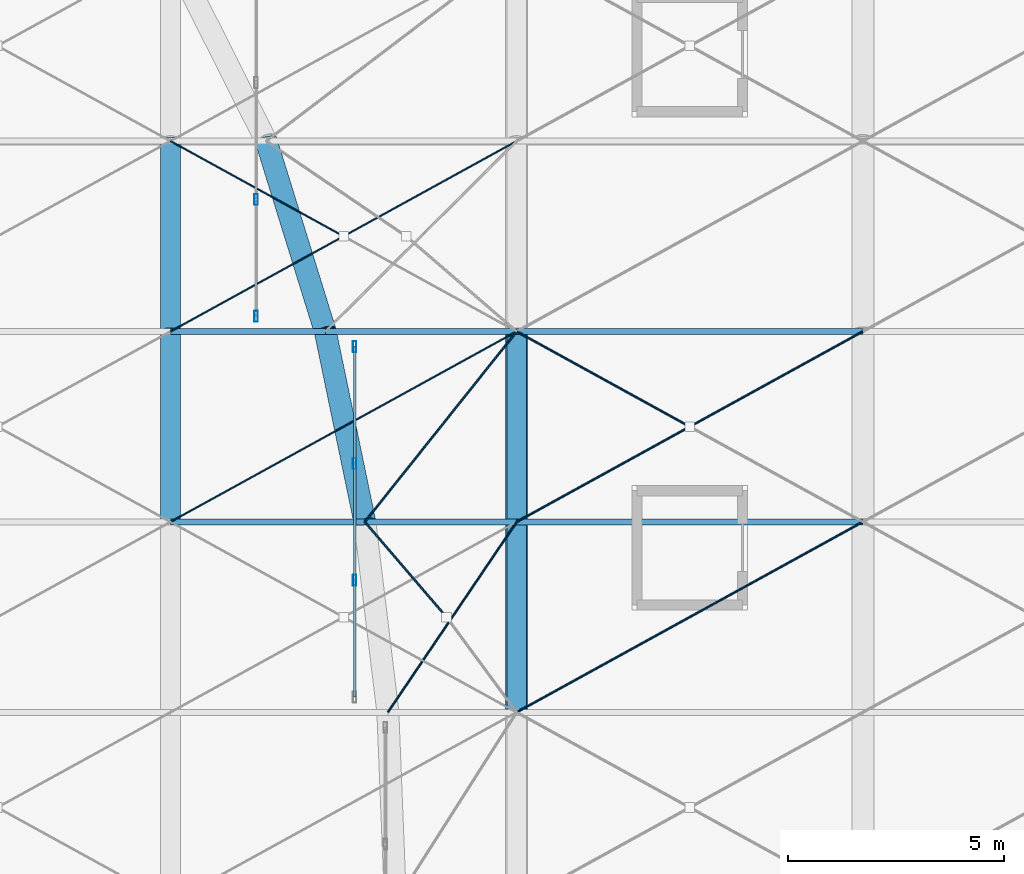
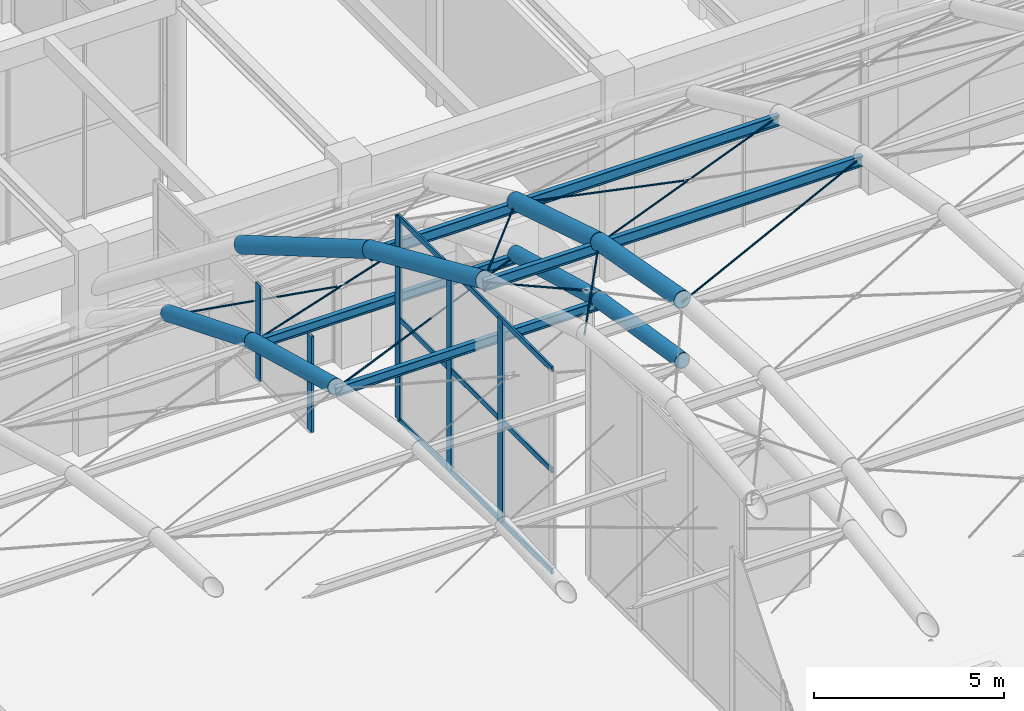
# One storey, part 76 of 163: 17 members, 14 beams, 2 elements without a shape of their own.
"""IFC4 building model written with IfcOpenShell, lengths in metres."""

from ifc_helpers import new_model, si_unit, direction, frame, origin, origin_2d, place, context, subcontext, project, spatial, hollow_rectangle, circle, hollow_circle, i_section, extrude, material, material_profile, profile_set, type_object, element, aggregate, save


model = new_model("IFC4")

# Units and contexts
model_context = context("Model", 3, precision=1e-05, world=origin(), true_north=direction((0.0, 1.0)))
body_context = subcontext(model_context, "Body", "Model", "MODEL_VIEW")
ifc_project = project(units=[si_unit("LENGTHUNIT", "METRE"), si_unit("AREAUNIT", "SQUARE_METRE"), si_unit("VOLUMEUNIT", "CUBIC_METRE"), si_unit("PLANEANGLEUNIT", "RADIAN"), si_unit("MASSUNIT", "GRAM", prefix="KILO")], contexts=[model_context])

# Site, building, storey
site_placement = place(None, origin())
site = spatial("IfcSite", under=ifc_project, at=site_placement, CompositionType="ELEMENT")
building_placement = place(site_placement, origin())
building = spatial("IfcBuilding", under=site, at=building_placement, Name="Varnabhumi Central Station", CompositionType="ELEMENT")
storey_placement = place(building_placement, frame((0.0, 0.0, 9.60009765625)))
storey = spatial("IfcBuildingStorey", under=building, at=storey_placement, Name="L02", CompositionType="ELEMENT", Elevation=9.60009765625)

# Beams
ifc_material_1 = material(Name="Structural steel E450", Category="steel")
ifc_material_profile_1 = material_profile(ifc_material_1, hollow_circle(Radius=0.228515625, WallThickness=0.01611328125, at=origin_2d()), Name="Structural steel E450", Category="steel")
ifc_profile_set_1 = profile_set([ifc_material_profile_1], Name="Structural steel E450")
beam_type_1 = type_object("IfcBeamType", Name="BM-ARCH-CHS457", PredefinedType="BEAM", material=ifc_profile_set_1)
beam_1_placement = place(storey_placement, frame((72.0, 66.800048828125, 9.8232421875), z_axis=(0.0, 0.965022848722, -0.262165789998), x_axis=(-1.0, 0.0, 0.0)))
element("IfcBeam", 1, at=beam_1_placement, inside=storey, type_object=beam_type_1, Name="Ticket Hall Vault Arch Rib 5 Seg 8", PredefinedType="BEAM", context=body_context, shape_type="SweptSolid", body=[
    extrude(hollow_circle(Radius=0.228515625, WallThickness=0.01611328125, at=origin_2d()), origin(), (0.0, 0.0, 1.0), 4.559326171875),
])
beam_2_placement = place(storey_placement, frame((72.0, 71.199951171875, 8.6279296875), z_axis=(0.0, 0.926804098242, -0.37554515505), x_axis=(-1.0, 0.0, 0.0)))
element("IfcBeam", 2, at=beam_2_placement, inside=storey, type_object=beam_type_1, Name="Ticket Hall Vault Arch Rib 5 Seg 9", PredefinedType="BEAM", context=body_context, shape_type="SweptSolid", body=[
    extrude(hollow_circle(Radius=0.228515625, WallThickness=0.01611328125, at=origin_2d()), origin(), (0.0, 0.0, 1.0), 4.74755859375),
])
beam_3_placement = place(storey_placement, frame((80.0, 62.39990234375, 10.520263671875), z_axis=(0.0, 0.987684638155, -0.156457839535), x_axis=(-1.0, 0.0, 0.0)))
element("IfcBeam", 3, at=beam_3_placement, inside=storey, type_object=beam_type_1, Name="Ticket Hall Vault Arch Rib 6 Seg 7", PredefinedType="BEAM", context=body_context, shape_type="SweptSolid", body=[
    extrude(hollow_circle(Radius=0.228515625, WallThickness=0.01611328125, at=origin_2d()), origin(), (0.0, 0.0, 1.0), 4.455078125),
])
beam_4_placement = place(storey_placement, frame((80.0, 66.800048828125, 9.8232421875), z_axis=(0.0, 0.965022848722, -0.262165789998), x_axis=(-1.0, 0.0, 0.0)))
element("IfcBeam", 4, at=beam_4_placement, inside=storey, type_object=beam_type_1, Name="Ticket Hall Vault Arch Rib 6 Seg 8", PredefinedType="BEAM", context=body_context, shape_type="SweptSolid", body=[
    extrude(hollow_circle(Radius=0.228515625, WallThickness=0.01611328125, at=origin_2d()), origin(), (0.0, 0.0, 1.0), 4.559326171875),
])
ifc_material_2 = material(Name="Structural steel E350", Category="steel")
ifc_material_profile_2 = material_profile(ifc_material_2, hollow_circle(Radius=0.25390625, WallThickness=0.02001953125, at=origin_2d()), Name="Structural steel E350", Category="steel")
ifc_profile_set_2 = profile_set([ifc_material_profile_2], Name="Structural steel E350")
beam_type_2 = type_object("IfcBeamType", Name="BM-ARCH-CHS508", PredefinedType="BEAM", material=ifc_profile_set_2)
beam_5_placement = place(storey_placement, frame((76.491455078125, 66.800048828125, 11.68701171875), z_axis=(-0.194549434517, 0.936477005574, -0.291824151776), x_axis=(-0.979095067091, -0.20340317008, 0.0)))
element("IfcBeam", 5, at=beam_5_placement, inside=storey, type_object=beam_type_2, Name="Departure Concourse Vault Arch Rib 1 Seg 8", PredefinedType="BEAM", context=body_context, shape_type="SweptSolid", body=[
    extrude(hollow_circle(Radius=0.25390625, WallThickness=0.02001953125, at=origin_2d()), origin(), (0.0, 0.0, 1.0), 4.6982421875),
])
beam_6_placement = place(storey_placement, frame((75.577392578125, 71.199951171875, 10.31591796875), z_axis=(-0.270532260799, 0.87301753561, -0.405774171659), x_axis=(-0.95518924728, -0.295995780173, 0.0)))
element("IfcBeam", 6, at=beam_6_placement, inside=storey, type_object=beam_type_2, Name="Departure Concourse Vault Arch Rib 1 Seg 9", PredefinedType="BEAM", context=body_context, shape_type="SweptSolid", body=[
    extrude(hollow_circle(Radius=0.25390625, WallThickness=0.02001953125, at=origin_2d()), origin(), (0.0, 0.0, 1.0), 5.0400390625),
])
beam_7_placement = place(storey_placement, frame((80.0, 62.39990234375, 12.486572265625), z_axis=(0.0, 0.983888247404, -0.17878455364), x_axis=(-1.0, 0.0, 0.0)))
element("IfcBeam", 7, at=beam_7_placement, inside=storey, type_object=beam_type_2, Name="Departure Concourse Vault Arch Rib 2 Seg 7", PredefinedType="BEAM", context=body_context, shape_type="SweptSolid", body=[
    extrude(hollow_circle(Radius=0.25390625, WallThickness=0.02001953125, at=origin_2d()), origin(), (0.0, 0.0, 1.0), 4.47216796875),
])
beam_8_placement = place(storey_placement, frame((80.0, 66.800048828125, 11.68701171875), z_axis=(0.0, 0.954719095828, -0.29750873611), x_axis=(-1.0, 0.0, 0.0)))
element("IfcBeam", 8, at=beam_8_placement, inside=storey, type_object=beam_type_2, Name="Departure Concourse Vault Arch Rib 2 Seg 8", PredefinedType="BEAM", context=body_context, shape_type="SweptSolid", body=[
    extrude(hollow_circle(Radius=0.25390625, WallThickness=0.02001953125, at=origin_2d()), origin(), (0.0, 0.0, 1.0), 4.608642578125),
])
ifc_material_profile_3 = material_profile(ifc_material_2, i_section(OverallWidth=0.139892578125, OverallDepth=0.300048828125, WebThickness=0.0078125, FlangeThickness=0.01318359375, FilletRadius=0.013916015625, at=origin_2d()), Name="Structural steel E350", Category="steel")
ifc_profile_set_3 = profile_set([ifc_material_profile_3], Name="Structural steel E350")
beam_type_3 = type_object("IfcBeamType", Name="BM-PUR-ISMB300", PredefinedType="LINTEL", material=ifc_profile_set_3)
for number, where, z_axis, x_axis, name in (
    (9, (72.0, 66.800048828125, 9.67333984375), (1.0, 0.0, 0.0), (0.0, 1.0, 0.0), "Ticket Hall Vault Purlin B5-L7"),
    (10, (72.0, 71.199951171875, 8.477783203125), (1.0, 0.0, 0.0), (0.0, 1.0, 0.0), "Ticket Hall Vault Purlin B5-L8"),
):
    element("IfcBeam", number, at=place(storey_placement, frame(where, z_axis=z_axis, x_axis=x_axis)), inside=storey, type_object=beam_type_3, Name=name, PredefinedType="LINTEL", context=body_context, shape_type="SweptSolid", body=[
        extrude(i_section(OverallWidth=0.139892578125, OverallDepth=0.300048828125, WebThickness=0.0078125, FlangeThickness=0.01318359375, FilletRadius=0.013916015625, at=origin_2d()), origin(), (0.0, 0.0, 1.0), 8.0),
    ])
ifc_material_profile_4 = material_profile(ifc_material_2, i_section(OverallWidth=0.139892578125, OverallDepth=0.35009765625, WebThickness=0.008056640625, FlangeThickness=0.01416015625, FilletRadius=0.013916015625, at=origin_2d()), Name="Structural steel E350", Category="steel")
ifc_profile_set_4 = profile_set([ifc_material_profile_4], Name="Structural steel E350")
beam_type_4 = type_object("IfcBeamType", Name="BM-PUR-ISMB350", PredefinedType="LINTEL", material=ifc_profile_set_4)
beam_9_placement = place(storey_placement, frame((76.491455078125, 66.800048828125, 11.511962890625), z_axis=(1.0, 0.0, 0.0), x_axis=(0.0, 1.0, 0.0)))
element("IfcBeam", 11, at=beam_9_placement, inside=storey, type_object=beam_type_4, Name="Departure Concourse Vault Purlin B1-L7", PredefinedType="LINTEL", context=body_context, shape_type="SweptSolid", body=[
    extrude(i_section(OverallWidth=0.139892578125, OverallDepth=0.35009765625, WebThickness=0.008056640625, FlangeThickness=0.01416015625, FilletRadius=0.013916015625, at=origin_2d()), origin(), (0.0, 0.0, 1.0), 3.508544921875),
])
beam_10_placement = place(storey_placement, frame((75.577392578125, 71.199951171875, 10.140869140625), z_axis=(1.0, 0.0, 0.0), x_axis=(0.0, 1.0, 0.0)))
element("IfcBeam", 12, at=beam_10_placement, inside=storey, type_object=beam_type_4, Name="Departure Concourse Vault Purlin B1-L8", PredefinedType="LINTEL", context=body_context, shape_type="SweptSolid", body=[
    extrude(i_section(OverallWidth=0.139892578125, OverallDepth=0.35009765625, WebThickness=0.008056640625, FlangeThickness=0.01416015625, FilletRadius=0.013916015625, at=origin_2d()), origin(), (0.0, 0.0, 1.0), 4.422607421875),
])
for number, where, z_axis, x_axis, name in (
    (13, (80.0, 66.800048828125, 11.511962890625), (1.0, 0.0, 0.0), (0.0, 1.0, 0.0), "Departure Concourse Vault Purlin B2-L7"),
    (14, (80.0, 71.199951171875, 10.140869140625), (1.0, 0.0, 0.0), (0.0, 1.0, 0.0), "Departure Concourse Vault Purlin B2-L8"),
):
    element("IfcBeam", number, at=place(storey_placement, frame(where, z_axis=z_axis, x_axis=x_axis)), inside=storey, type_object=beam_type_4, Name=name, PredefinedType="LINTEL", context=body_context, shape_type="SweptSolid", body=[
        extrude(i_section(OverallWidth=0.139892578125, OverallDepth=0.35009765625, WebThickness=0.008056640625, FlangeThickness=0.01416015625, FilletRadius=0.013916015625, at=origin_2d()), origin(), (0.0, 0.0, 1.0), 8.0),
    ])

# Curtain wall, members
ifc_material_3 = material(Name="Anodised aluminium 6063-T6", Category="aluminium")
curtain_wall_type = type_object("IfcCurtainWallType", Name="CW-VAULT-ARCH-V4", PredefinedType="NOTDEFINED", material=ifc_material_3)
curtain_wall_1_placement = place(storey_placement, origin())
curtain_wall_1 = element("IfcCurtainWall", 15, at=curtain_wall_1_placement, inside=storey, type_object=curtain_wall_type, Name="Curtain Wall CW-V44", PredefinedType="NOTDEFINED")
ifc_material_profile_5 = material_profile(ifc_material_3, hollow_rectangle(XDim=0.080078125, YDim=0.25, WallThickness=0.0048828125, InnerFilletRadius=0.0009765625, OuterFilletRadius=0.006103515625, at=origin_2d()), Name="Anodised aluminium 6063-T6", Category="aluminium")
ifc_profile_set_5 = profile_set([ifc_material_profile_5], Name="Anodised aluminium 6063-T6")
member_type_1 = type_object("IfcMemberType", Name="CW-MUL-250", PredefinedType="MULLION", material=ifc_profile_set_5)
member_1_placement = place(storey_placement, frame((76.258056640625, 65.449951171875, 4.849853515625), z_axis=(0.0, 0.0, 1.0), x_axis=(1.0, 0.0, 0.0)))
member_1 = element("IfcMember", 16, at=member_1_placement, type_object=member_type_1, Name="Curtain Wall Mullion CW-V44-M2", PredefinedType="MULLION", context=body_context, shape_type="SweptSolid", body=[
    extrude(hollow_rectangle(XDim=0.080078125, YDim=0.25, WallThickness=0.0048828125, InnerFilletRadius=0.0009765625, OuterFilletRadius=0.006103515625, at=origin_2d()), origin(), (0.0, 0.0, 1.0), 6.487060546875),
])
member_2_placement = place(storey_placement, frame((76.258056640625, 68.14990234375, 4.849853515625), z_axis=(0.0, 0.0, 1.0), x_axis=(1.0, 0.0, 0.0)))
member_2 = element("IfcMember", 17, at=member_2_placement, type_object=member_type_1, Name="Curtain Wall Mullion CW-V44-M3", PredefinedType="MULLION", context=body_context, shape_type="SweptSolid", body=[
    extrude(hollow_rectangle(XDim=0.080078125, YDim=0.25, WallThickness=0.0048828125, InnerFilletRadius=0.0009765625, OuterFilletRadius=0.006103515625, at=origin_2d()), origin(), (0.0, 0.0, 1.0), 6.487060546875),
])
member_3_placement = place(storey_placement, frame((76.258056640625, 70.85009765625, 4.849853515625), z_axis=(0.0, 0.0, 1.0), x_axis=(1.0, 0.0, 0.0)))
member_3 = element("IfcMember", 18, at=member_3_placement, type_object=member_type_1, Name="Curtain Wall Mullion CW-V44-M4", PredefinedType="MULLION", context=body_context, shape_type="SweptSolid", body=[
    extrude(hollow_rectangle(XDim=0.080078125, YDim=0.25, WallThickness=0.0048828125, InnerFilletRadius=0.0009765625, OuterFilletRadius=0.006103515625, at=origin_2d()), origin(), (0.0, 0.0, 1.0), 6.487060546875),
])

curtain_wall_2_placement = place(storey_placement, origin())
curtain_wall_2 = element("IfcCurtainWall", 19, at=curtain_wall_2_placement, inside=storey, type_object=curtain_wall_type, Name="Curtain Wall CW-V45", PredefinedType="NOTDEFINED")
member_4_placement = place(storey_placement, frame((73.98095703125, 71.550048828125, 4.849853515625), z_axis=(0.0, 0.0, 1.0), x_axis=(1.0, 0.0, 0.0)))
member_4 = element("IfcMember", 20, at=member_4_placement, type_object=member_type_1, Name="Curtain Wall Mullion CW-V45-M1", PredefinedType="MULLION", context=body_context, shape_type="SweptSolid", body=[
    extrude(hollow_rectangle(XDim=0.080078125, YDim=0.25, WallThickness=0.0048828125, InnerFilletRadius=0.0009765625, OuterFilletRadius=0.006103515625, at=origin_2d()), origin(), (0.0, 0.0, 1.0), 3.071044921875),
])
member_5_placement = place(storey_placement, frame((73.98095703125, 74.25, 4.849853515625), z_axis=(0.0, 0.0, 1.0), x_axis=(1.0, 0.0, 0.0)))
member_5 = element("IfcMember", 21, at=member_5_placement, type_object=member_type_1, Name="Curtain Wall Mullion CW-V45-M2", PredefinedType="MULLION", context=body_context, shape_type="SweptSolid", body=[
    extrude(hollow_rectangle(XDim=0.080078125, YDim=0.25, WallThickness=0.0048828125, InnerFilletRadius=0.0009765625, OuterFilletRadius=0.006103515625, at=origin_2d()), origin(), (0.0, 0.0, 1.0), 3.071044921875),
])
aggregate(curtain_wall_2, [member_4, member_5])

# Member
ifc_material_profile_6 = material_profile(ifc_material_3, hollow_rectangle(XDim=0.06494140625, YDim=0.179931640625, WallThickness=0.00390625, InnerFilletRadius=0.001953125, OuterFilletRadius=0.006103515625, at=origin_2d()), Name="Anodised aluminium 6063-T6", Category="aluminium")
ifc_profile_set_6 = profile_set([ifc_material_profile_6], Name="Anodised aluminium 6063-T6")
member_type_2 = type_object("IfcMemberType", Name="CW-TR-180", PredefinedType="USERDEFINED", material=ifc_profile_set_6)
member_6_placement = place(storey_placement, frame((76.258056640625, 62.75, 4.849853515625), z_axis=(0.0, 1.0, 0.0), x_axis=(-1.0, 0.0, 0.0)))
member_6 = element("IfcMember", 22, at=member_6_placement, type_object=member_type_2, Name="Curtain Wall Transom CW-V44-T1", ObjectType="TRANSOM", PredefinedType="USERDEFINED", context=body_context, shape_type="SweptSolid", body=[
    extrude(hollow_rectangle(XDim=0.06494140625, YDim=0.179931640625, WallThickness=0.00390625, InnerFilletRadius=0.001953125, OuterFilletRadius=0.006103515625, at=origin_2d()), origin(), (0.0, 0.0, 1.0), 8.10009765625),
])

member_7_placement = place(storey_placement, frame((76.258056640625, 62.75, 8.093505859375), z_axis=(0.0, 1.0, 0.0), x_axis=(-1.0, 0.0, 0.0)))
member_7 = element("IfcMember", 23, at=member_7_placement, type_object=member_type_2, Name="Curtain Wall Transom CW-V44-T2", ObjectType="TRANSOM", PredefinedType="USERDEFINED", context=body_context, shape_type="SweptSolid", body=[
    extrude(hollow_rectangle(XDim=0.06494140625, YDim=0.179931640625, WallThickness=0.00390625, InnerFilletRadius=0.001953125, OuterFilletRadius=0.006103515625, at=origin_2d()), origin(), (0.0, 0.0, 1.0), 8.10009765625),
])

member_8_placement = place(storey_placement, frame((76.258056640625, 62.75, 11.3369140625), z_axis=(0.0, 1.0, 0.0), x_axis=(-1.0, 0.0, 0.0)))
member_8 = element("IfcMember", 24, at=member_8_placement, type_object=member_type_2, Name="Curtain Wall Transom CW-V44-T3", ObjectType="TRANSOM", PredefinedType="USERDEFINED", context=body_context, shape_type="SweptSolid", body=[
    extrude(hollow_rectangle(XDim=0.06494140625, YDim=0.179931640625, WallThickness=0.00390625, InnerFilletRadius=0.001953125, OuterFilletRadius=0.006103515625, at=origin_2d()), origin(), (0.0, 0.0, 1.0), 8.10009765625),
])

aggregate(curtain_wall_1, [member_1, member_2, member_3, member_6, member_7, member_8])

# Members
ifc_material_4 = material(Name="Spiral-strand steel S1570", Category="steel")
ifc_material_profile_7 = material_profile(ifc_material_4, circle(Radius=0.02099609375, at=origin_2d()), Name="Spiral-strand steel S1570", Category="steel")
ifc_profile_set_7 = profile_set([ifc_material_profile_7], Name="Spiral-strand steel S1570")
member_type_3 = type_object("IfcMemberType", Name="MBR-CABLE-D42", PredefinedType="USERDEFINED", material=ifc_profile_set_7)
member_9_placement = place(storey_placement, frame((72.0, 66.800048828125, 9.743408203125), z_axis=(0.868803417008, 0.477831273844, -0.129837961825), x_axis=(-0.481910537812, 0.876220425204, 0.0)))
element("IfcMember", 25, at=member_9_placement, inside=storey, type_object=member_type_3, Name="Ticket Hall Vault Cable-Net Tie B5-P8A", ObjectType="TENSION CABLE", PredefinedType="USERDEFINED", context=body_context, shape_type="SweptSolid", body=[
    extrude(circle(Radius=0.02099609375, at=origin_2d()), origin(), (0.0, 0.0, 1.0), 9.2080078125),
])
member_10_placement = place(storey_placement, frame((72.0, 71.199951171875, 8.5478515625), z_axis=(0.859965363866, 0.472996696562, -0.19166037147), x_axis=(-0.481931067474, 0.876209133828, 0.0)))
element("IfcMember", 26, at=member_10_placement, inside=storey, type_object=member_type_3, Name="Ticket Hall Vault Cable-Net Tie B5-P9A", ObjectType="TENSION CABLE", PredefinedType="USERDEFINED", context=body_context, shape_type="SweptSolid", body=[
    extrude(circle(Radius=0.02099609375, at=origin_2d()), origin(), (0.0, 0.0, 1.0), 9.302734375),
])
member_11_placement = place(storey_placement, frame((72.0, 75.60009765625, 6.764892578125), z_axis=(0.859950363032, -0.473014689432, 0.191683271838), x_axis=(0.481951596342, 0.876197842262, 0.0)))
element("IfcMember", 27, at=member_11_placement, inside=storey, type_object=member_type_3, Name="Ticket Hall Vault Cable-Net Split Tie B5-P9B1", ObjectType="TENSION CABLE", PredefinedType="USERDEFINED", context=body_context, shape_type="SweptSolid", body=[
    extrude(circle(Radius=0.02099609375, at=origin_2d()), origin(), (0.0, 0.0, 1.0), 4.6513671875),
])
ifc_material_profile_8 = material_profile(ifc_material_4, circle(Radius=0.027099609375, at=origin_2d()), Name="Spiral-strand steel S1570", Category="steel")
ifc_profile_set_8 = profile_set([ifc_material_profile_8], Name="Spiral-strand steel S1570")
member_type_4 = type_object("IfcMemberType", Name="MBR-CABLE-D54", PredefinedType="USERDEFINED", material=ifc_profile_set_8)
member_12_placement = place(storey_placement, frame((77.0244140625, 62.39990234375, 12.406494140625), z_axis=(0.553941920403, 0.819141387547, -0.148848029974), x_axis=(-0.828369353295, 0.56018230472, 0.0)))
element("IfcMember", 28, at=member_12_placement, inside=storey, type_object=member_type_4, Name="Departure Concourse Vault Cable-Net Tie B1-P7A", ObjectType="TENSION CABLE", PredefinedType="USERDEFINED", context=body_context, shape_type="SweptSolid", body=[
    extrude(circle(Radius=0.027099609375, at=origin_2d()), origin(), (0.0, 0.0, 1.0), 5.37158203125),
])
member_13_placement = place(storey_placement, frame((76.491455078125, 66.800048828125, 11.60693359375), z_axis=(0.645035437053, -0.751832146331, 0.136666413904), x_axis=(0.758953309225, 0.651145048676, 0.0)))
element("IfcMember", 29, at=member_13_placement, inside=storey, type_object=member_type_4, Name="Departure Concourse Vault Cable-Net Split Tie B1-P7B1", ObjectType="TENSION CABLE", PredefinedType="USERDEFINED", context=body_context, shape_type="SweptSolid", body=[
    extrude(circle(Radius=0.027099609375, at=origin_2d()), origin(), (0.0, 0.0, 1.0), 2.926025390625),
])
member_14_placement = place(storey_placement, frame((76.491455078125, 66.800048828125, 11.60693359375), z_axis=(0.605742059, 0.759632829122, -0.23671612298), x_axis=(-0.781854013129, 0.623461548256, 0.0)))
element("IfcMember", 30, at=member_14_placement, inside=storey, type_object=member_type_4, Name="Departure Concourse Vault Cable-Net Tie B1-P8A", ObjectType="TENSION CABLE", PredefinedType="USERDEFINED", context=body_context, shape_type="SweptSolid", body=[
    extrude(circle(Radius=0.027099609375, at=origin_2d()), origin(), (0.0, 0.0, 1.0), 5.792236328125),
])
member_15_placement = place(storey_placement, frame((80.0, 62.39990234375, 12.406494140625), z_axis=(0.872868515511, 0.480093666231, -0.087238903451), x_axis=(-0.481931067474, 0.876209133828, 0.0)))
element("IfcMember", 31, at=member_15_placement, inside=storey, type_object=member_type_4, Name="Departure Concourse Vault Cable-Net Tie B2-P7A", ObjectType="TENSION CABLE", PredefinedType="USERDEFINED", context=body_context, shape_type="SweptSolid", body=[
    extrude(circle(Radius=0.027099609375, at=origin_2d()), origin(), (0.0, 0.0, 1.0), 9.165283203125),
])
member_16_placement = place(storey_placement, frame((80.0, 66.800048828125, 11.60693359375), z_axis=(0.866504286303, 0.476566780022, -0.148507326412), x_axis=(-0.481910537812, 0.876220425204, 0.0)))
element("IfcMember", 32, at=member_16_placement, inside=storey, type_object=member_type_4, Name="Departure Concourse Vault Cable-Net Tie B2-P8A", ObjectType="TENSION CABLE", PredefinedType="USERDEFINED", context=body_context, shape_type="SweptSolid", body=[
    extrude(circle(Radius=0.027099609375, at=origin_2d()), origin(), (0.0, 0.0, 1.0), 9.232421875),
])
member_17_placement = place(storey_placement, frame((80.0, 71.199951171875, 10.23583984375), z_axis=(0.866504286303, -0.476566780022, 0.148507326412), x_axis=(0.481910537812, 0.876220425204, 0.0)))
element("IfcMember", 33, at=member_17_placement, inside=storey, type_object=member_type_4, Name="Departure Concourse Vault Cable-Net Split Tie B2-P8B1", ObjectType="TENSION CABLE", PredefinedType="USERDEFINED", context=body_context, shape_type="SweptSolid", body=[
    extrude(circle(Radius=0.027099609375, at=origin_2d()), origin(), (0.0, 0.0, 1.0), 4.6162109375),
])

save(model, "model.ifc")
